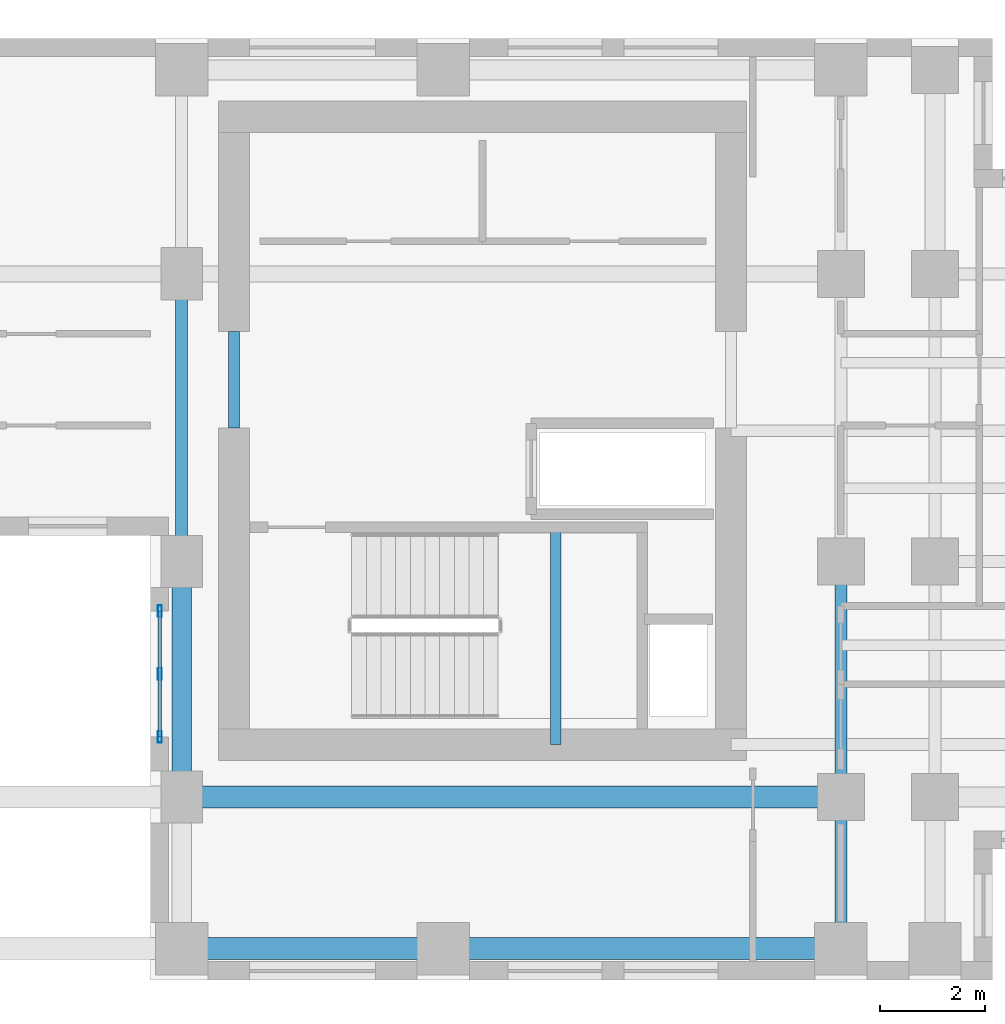
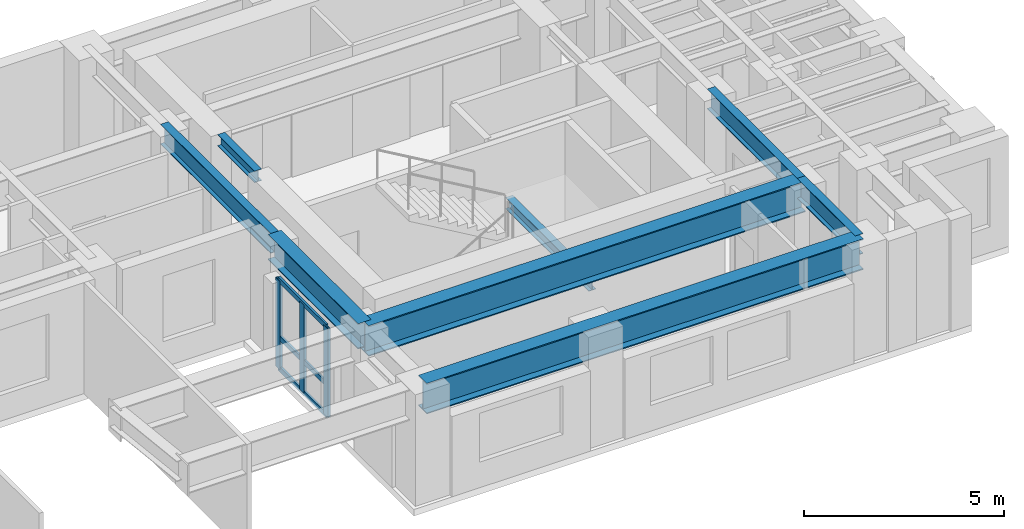
# One storey, part 2 of 13: 8 beams, 6 members, 1 element without a shape of its own.
"""IFC4 building model written with IfcOpenShell, lengths in metres."""

from ifc_helpers import new_model, si_unit, direction, frame, origin, origin_2d, place, context, subcontext, project, spatial, hollow_rectangle, i_section, extrude, source, transform, mapped, material, layer, layer_set, material_profile, profile_set, type_object, element, aggregate, save


model = new_model("IFC4")

# Units and contexts
model_context = context("Model", 3, precision=1e-05, world=origin(), true_north=direction((0.0, 1.0)))
body_context = subcontext(model_context, "Body", "Model", "MODEL_VIEW")
ifc_project = project(units=[si_unit("LENGTHUNIT", "METRE"), si_unit("AREAUNIT", "SQUARE_METRE"), si_unit("VOLUMEUNIT", "CUBIC_METRE"), si_unit("PLANEANGLEUNIT", "RADIAN"), si_unit("MASSUNIT", "GRAM", prefix="KILO")], contexts=[model_context])

# Site, building, storey
site_placement = place(None, origin())
site = spatial("IfcSite", under=ifc_project, at=site_placement, CompositionType="ELEMENT")
building_placement = place(site_placement, origin())
building = spatial("IfcBuilding", under=site, at=building_placement, Name="Kharzan Plaza Tower", CompositionType="ELEMENT")
storey_placement = place(building_placement, frame((0.0, 0.0, 161.10009765625)))
storey = spatial("IfcBuildingStorey", under=building, at=storey_placement, Name="L43", CompositionType="ELEMENT", Elevation=161.10009765625)

# Beams
ifc_material_1 = material(Name="Steel S355", Category="steel")
ifc_material_profile_1 = material_profile(ifc_material_1, i_section(OverallWidth=0.205078125, OverallDepth=0.35400390625, WebThickness=0.009521484375, FlangeThickness=0.016845703125, at=origin_2d()), Name="W360x79")
ifc_profile_set_1 = profile_set([ifc_material_profile_1], Name="Steel S355")
beam_type_1 = type_object("IfcBeamType", Name="BM-LNT360", PredefinedType="LINTEL", material=ifc_profile_set_1)
shared_shape_1 = source(origin(), body_context, "Body", "SweptSolid", [
    extrude(i_section(OverallWidth=0.205078125, OverallDepth=0.35400390625, WebThickness=0.009521484375, FlangeThickness=0.016845703125, at=origin_2d()), origin(), (0.0, 0.0, 1.0), 1.849853515625),
])
beam_1_placement = place(storey_placement, frame((36.0, 10.550048828125, 3.222900390625), z_axis=(0.0, 1.0, 0.0), x_axis=(-1.0, 0.0, 0.0)))
element("IfcBeam", 1, at=beam_1_placement, inside=storey, type_object=beam_type_1, Name="L43 CORE-B coupling lintel LN1-WW", PredefinedType="LINTEL", context=body_context, shape_type="MappedRepresentation", body=[
    mapped(shared_shape_1, transform((0.0, 0.0, 0.0), x_axis=(1.0, 0.0, 0.0), y_axis=(0.0, 1.0, 0.0), z_axis=(0.0, 0.0, 1.0))),
])
shared_shape_2 = source(origin(), body_context, "Body", "SweptSolid", [
    extrude(i_section(OverallWidth=0.205078125, OverallDepth=0.35400390625, WebThickness=0.009521484375, FlangeThickness=0.016845703125, at=origin_2d()), origin(), (0.0, 0.0, 1.0), 4.155029296875),
])
beam_2_placement = place(storey_placement, frame((42.14990234375, 4.5, 1.4228515625), z_axis=(0.0, 1.0, 0.0), x_axis=(-1.0, 0.0, 0.0)))
element("IfcBeam", 2, at=beam_2_placement, inside=storey, type_object=beam_type_1, Name="L43 Stair ST-3 Half-Landing Beam", PredefinedType="LINTEL", context=body_context, shape_type="MappedRepresentation", body=[
    mapped(shared_shape_2, transform((0.0, 0.0, 0.0), x_axis=(1.0, 0.0, 0.0), y_axis=(0.0, 1.0, 0.0), z_axis=(0.0, 0.0, 1.0))),
])

# Curtain wall, members
ifc_material_2 = material(Name="Unitised Bronze-Anodized Aluminium and Low-E Glass", Category="aluminium")
ifc_layer = layer(ifc_material_2, 0.199951171875)
ifc_layer_set = layer_set([ifc_layer], Name="Unitised Bronze-Anodized Aluminium and Low-E Glass")
curtain_wall_type = type_object("IfcCurtainWallType", Name="CW-SLOT-3", PredefinedType="NOTDEFINED", material=ifc_layer_set)
curtain_wall_placement = place(storey_placement, origin())
curtain_wall = element("IfcCurtainWall", 3, at=curtain_wall_placement, inside=storey, type_object=curtain_wall_type, Name="L43 East Slot Recessed Spine Curtain Wall", PredefinedType="NOTDEFINED")
ifc_material_3 = material(Name="Anodized Bronze Aluminium", Category="aluminium")
ifc_material_profile_2 = material_profile(ifc_material_3, hollow_rectangle(XDim=0.074951171875, YDim=0.219970703125, WallThickness=0.00390625, at=origin_2d()), Name="ALU-M220x75x4")
ifc_profile_set_2 = profile_set([ifc_material_profile_2], Name="Anodized Bronze Aluminium")
member_type_1 = type_object("IfcMemberType", Name="MEM-CW-MUL200", PredefinedType="MULLION", material=ifc_profile_set_2)
shared_shape_3 = source(origin(), body_context, "Body", "SweptSolid", [
    extrude(hollow_rectangle(XDim=0.074951171875, YDim=0.219970703125, WallThickness=0.00390625, at=origin_2d()), origin(), (0.0, 0.0, 1.0), 2.699951171875),
])
member_1_placement = place(storey_placement, frame((34.580078125, 4.64990234375, 0.0), z_axis=(0.0, 0.0, 1.0), x_axis=(1.0, 0.0, 0.0)))
member_1 = element("IfcMember", 4, at=member_1_placement, type_object=member_type_1, Name="L43 Curtain-Wall Mullion 00", PredefinedType="MULLION", context=body_context, shape_type="MappedRepresentation", body=[
    mapped(shared_shape_3, transform((0.0, 0.0, 0.0), x_axis=(1.0, 0.0, 0.0), y_axis=(0.0, 1.0, 0.0), z_axis=(0.0, 0.0, 1.0))),
])
member_2_placement = place(storey_placement, frame((34.580078125, 5.85009765625, 0.0), z_axis=(0.0, 0.0, 1.0), x_axis=(1.0, 0.0, 0.0)))
member_2 = element("IfcMember", 5, at=member_2_placement, type_object=member_type_1, Name="L43 Curtain-Wall Mullion 01", PredefinedType="MULLION", context=body_context, shape_type="MappedRepresentation", body=[
    mapped(shared_shape_3, transform((0.0, 0.0, 0.0), x_axis=(1.0, 0.0, 0.0), y_axis=(0.0, 1.0, 0.0), z_axis=(0.0, 0.0, 1.0))),
])
member_3_placement = place(storey_placement, frame((34.580078125, 7.050048828125, 0.0), z_axis=(0.0, 0.0, 1.0), x_axis=(1.0, 0.0, 0.0)))
member_3 = element("IfcMember", 6, at=member_3_placement, type_object=member_type_1, Name="L43 Curtain-Wall Mullion 02", PredefinedType="MULLION", context=body_context, shape_type="MappedRepresentation", body=[
    mapped(shared_shape_3, transform((0.0, 0.0, 0.0), x_axis=(1.0, 0.0, 0.0), y_axis=(0.0, 1.0, 0.0), z_axis=(0.0, 0.0, 1.0))),
])

# Beams
ifc_material_profile_3 = material_profile(ifc_material_1, i_section(OverallWidth=0.41796875, OverallDepth=0.93701171875, WebThickness=0.019287109375, FlangeThickness=0.031982421875, at=origin_2d()), Name="W920x342")
ifc_profile_set_3 = profile_set([ifc_material_profile_3], Name="Steel S355")
beam_type_2 = type_object("IfcBeamType", Name="BM-ZTB920", PredefinedType="BEAM", material=ifc_profile_set_3)
shared_shape_4 = source(origin(), body_context, "Body", "SweptSolid", [
    extrude(i_section(OverallWidth=0.41796875, OverallDepth=0.93701171875, WebThickness=0.019287109375, FlangeThickness=0.031982421875, at=origin_2d()), origin(), (0.0, 0.0, 1.0), 12.60009765625),
])
for number, where, z_axis, x_axis, name in (
    (7, (47.60009765625, 0.60009765625, 2.931396484375), (-1.0, 0.0, 0.0), (0.0, -1.0, 0.0), "L43 Sky-Terrace Back-Span Girder ZTB1 (L44 G1)"),
    (8, (47.60009765625, 3.5, 2.931396484375), (-1.0, 0.0, 0.0), (0.0, -1.0, 0.0), "L43 Sky-Terrace Back-Span Girder ZTB1 (L44 G2)"),
):
    element("IfcBeam", number, at=place(storey_placement, frame(where, z_axis=z_axis, x_axis=x_axis)), inside=storey, type_object=beam_type_2, Name=name, PredefinedType="BEAM", context=body_context, shape_type="MappedRepresentation", body=[
        mapped(shared_shape_4, transform((0.0, 0.0, 0.0), x_axis=(1.0, 0.0, 0.0), y_axis=(0.0, 1.0, 0.0), z_axis=(0.0, 0.0, 1.0))),
    ])

# Member
ifc_material_profile_4 = material_profile(ifc_material_3, hollow_rectangle(XDim=0.06005859375, YDim=0.14990234375, WallThickness=0.00341796875, at=origin_2d()), Name="ALU-T150x60x3.5")
ifc_profile_set_4 = profile_set([ifc_material_profile_4], Name="Anodized Bronze Aluminium")
member_type_2 = type_object("IfcMemberType", Name="MEM-CW-TRN150", PredefinedType="USERDEFINED", material=ifc_profile_set_4)
shared_shape_5 = source(origin(), body_context, "Body", "SweptSolid", [
    extrude(hollow_rectangle(XDim=0.06005859375, YDim=0.14990234375, WallThickness=0.00341796875, at=origin_2d()), origin(), (0.0, 0.0, 1.0), 2.400146484375),
])
member_4_placement = place(storey_placement, frame((34.580078125, 4.64990234375, 0.0), z_axis=(0.0, 1.0, 0.0), x_axis=(-1.0, 0.0, 0.0)))
member_4 = element("IfcMember", 9, at=member_4_placement, type_object=member_type_2, Name="L43 Curtain-Wall Transom 1", ObjectType="TRANSOM", PredefinedType="USERDEFINED", context=body_context, shape_type="MappedRepresentation", body=[
    mapped(shared_shape_5, transform((0.0, 0.0, 0.0), x_axis=(1.0, 0.0, 0.0), y_axis=(0.0, 1.0, 0.0), z_axis=(0.0, 0.0, 1.0))),
])

member_5_placement = place(storey_placement, frame((34.580078125, 4.64990234375, 0.949951171875), z_axis=(0.0, 1.0, 0.0), x_axis=(-1.0, 0.0, 0.0)))
member_5 = element("IfcMember", 10, at=member_5_placement, type_object=member_type_2, Name="L43 Curtain-Wall Transom 2", ObjectType="TRANSOM", PredefinedType="USERDEFINED", context=body_context, shape_type="MappedRepresentation", body=[
    mapped(shared_shape_5, transform((0.0, 0.0, 0.0), x_axis=(1.0, 0.0, 0.0), y_axis=(0.0, 1.0, 0.0), z_axis=(0.0, 0.0, 1.0))),
])

member_6_placement = place(storey_placement, frame((34.580078125, 4.64990234375, 2.699951171875), z_axis=(0.0, 1.0, 0.0), x_axis=(-1.0, 0.0, 0.0)))
member_6 = element("IfcMember", 11, at=member_6_placement, type_object=member_type_2, Name="L43 Curtain-Wall Transom 3", ObjectType="TRANSOM", PredefinedType="USERDEFINED", context=body_context, shape_type="MappedRepresentation", body=[
    mapped(shared_shape_5, transform((0.0, 0.0, 0.0), x_axis=(1.0, 0.0, 0.0), y_axis=(0.0, 1.0, 0.0), z_axis=(0.0, 0.0, 1.0))),
])

aggregate(curtain_wall, [member_1, member_2, member_3, member_4, member_5, member_6])

# Beams
ifc_material_profile_5 = material_profile(ifc_material_1, i_section(OverallWidth=0.22900390625, OverallDepth=0.612060546875, WebThickness=0.011962890625, FlangeThickness=0.01953125, at=origin_2d()), Name="W610x125")
ifc_profile_set_5 = profile_set([ifc_material_profile_5], Name="Steel S355")
beam_type_3 = type_object("IfcBeamType", Name="BM-FG610B", PredefinedType="BEAM", material=ifc_profile_set_5)
shared_shape_6 = source(origin(), body_context, "Body", "SweptSolid", [
    extrude(i_section(OverallWidth=0.22900390625, OverallDepth=0.612060546875, WebThickness=0.011962890625, FlangeThickness=0.01953125, at=origin_2d()), origin(), (0.0, 0.0, 1.0), 4.5),
])
beam_3_placement = place(storey_placement, frame((47.60009765625, 3.5, 3.093994140625), z_axis=(0.0, 1.0, 0.0), x_axis=(-1.0, 0.0, 0.0)))
element("IfcBeam", 12, at=beam_3_placement, inside=storey, type_object=beam_type_3, Name="L43 Interior Frame Girder", PredefinedType="BEAM", context=body_context, shape_type="MappedRepresentation", body=[
    mapped(shared_shape_6, transform((0.0, 0.0, 0.0), x_axis=(1.0, 0.0, 0.0), y_axis=(0.0, 1.0, 0.0), z_axis=(0.0, 0.0, 1.0))),
])
shared_shape_7 = source(origin(), body_context, "Body", "SweptSolid", [
    extrude(i_section(OverallWidth=0.22900390625, OverallDepth=0.612060546875, WebThickness=0.011962890625, FlangeThickness=0.01953125, at=origin_2d()), origin(), (0.0, 0.0, 1.0), 5.5),
])
beam_4_placement = place(storey_placement, frame((35.0, 8.0, 3.093994140625), z_axis=(0.0, 1.0, 0.0), x_axis=(-1.0, 0.0, 0.0)))
element("IfcBeam", 13, at=beam_4_placement, inside=storey, type_object=beam_type_3, Name="L43 Interior Frame Girder", PredefinedType="BEAM", context=body_context, shape_type="MappedRepresentation", body=[
    mapped(shared_shape_7, transform((0.0, 0.0, 0.0), x_axis=(1.0, 0.0, 0.0), y_axis=(0.0, 1.0, 0.0), z_axis=(0.0, 0.0, 1.0))),
])
shared_shape_8 = source(origin(), body_context, "Body", "SweptSolid", [
    extrude(i_section(OverallWidth=0.22900390625, OverallDepth=0.612060546875, WebThickness=0.011962890625, FlangeThickness=0.01953125, at=origin_2d()), origin(), (0.0, 0.0, 1.0), 2.89990234375),
])
beam_5_placement = place(storey_placement, frame((47.60009765625, 0.60009765625, 3.093994140625), z_axis=(0.0, 1.0, 0.0), x_axis=(-1.0, 0.0, 0.0)))
element("IfcBeam", 14, at=beam_5_placement, inside=storey, type_object=beam_type_3, Name="L43 Interior Frame Girder", PredefinedType="BEAM", context=body_context, shape_type="MappedRepresentation", body=[
    mapped(shared_shape_8, transform((0.0, 0.0, 0.0), x_axis=(1.0, 0.0, 0.0), y_axis=(0.0, 1.0, 0.0), z_axis=(0.0, 0.0, 1.0))),
])
ifc_material_profile_6 = material_profile(ifc_material_1, i_section(OverallWidth=0.381103515625, OverallDepth=0.77294921875, WebThickness=0.0166015625, FlangeThickness=0.027587890625, at=origin_2d()), Name="W760x257")
ifc_profile_set_6 = profile_set([ifc_material_profile_6], Name="Steel S355")
beam_type_4 = type_object("IfcBeamType", Name="BM-SP760A", PredefinedType="SPANDREL", material=ifc_profile_set_6)
shared_shape_9 = source(origin(), body_context, "Body", "SweptSolid", [
    extrude(i_section(OverallWidth=0.381103515625, OverallDepth=0.77294921875, WebThickness=0.0166015625, FlangeThickness=0.027587890625, at=origin_2d()), origin(), (0.0, 0.0, 1.0), 4.5),
])
beam_6_placement = place(storey_placement, frame((35.0, 3.5, 3.013427734375), z_axis=(0.0, 1.0, 0.0), x_axis=(-1.0, 0.0, 0.0)))
element("IfcBeam", 15, at=beam_6_placement, inside=storey, type_object=beam_type_4, Name="L43 Perimeter Tube Spandrel", PredefinedType="SPANDREL", context=body_context, shape_type="MappedRepresentation", body=[
    mapped(shared_shape_9, transform((0.0, 0.0, 0.0), x_axis=(1.0, 0.0, 0.0), y_axis=(0.0, 1.0, 0.0), z_axis=(0.0, 0.0, 1.0))),
])

save(model, "model.ifc")
